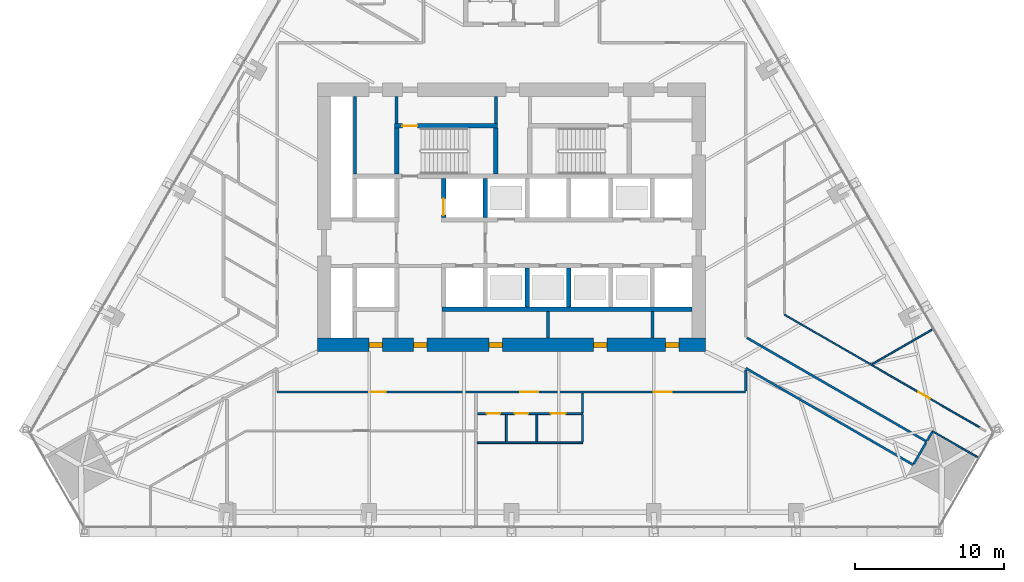
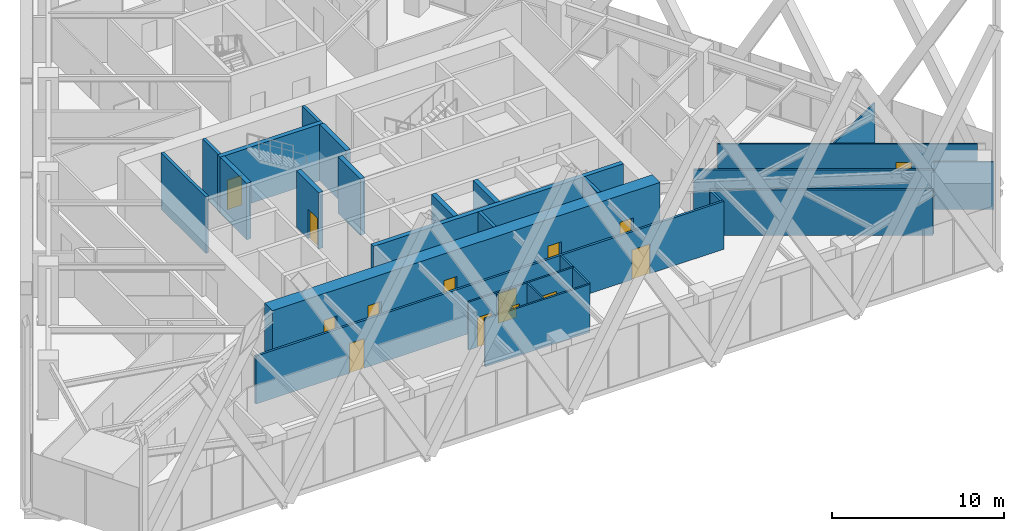
# One storey, part 18 of 23: 29 walls, 14 doors, 14 openings.
"""IFC4 building model written with IfcOpenShell, lengths in metres."""

from ifc_helpers import new_model, si_unit, direction, frame, frame_2d, origin, place, context, subcontext, project, spatial, rectangle, extrude, material, layer, layer_set, type_object, element, fill, save


model = new_model("IFC4")

# Units and contexts
model_context = context("Model", 3, precision=1e-05, world=origin(), true_north=direction((0.0, 1.0)))
body_context = subcontext(model_context, "Body", "Model", "MODEL_VIEW")
ifc_project = project(units=[si_unit("LENGTHUNIT", "METRE"), si_unit("AREAUNIT", "SQUARE_METRE"), si_unit("VOLUMEUNIT", "CUBIC_METRE"), si_unit("PLANEANGLEUNIT", "RADIAN"), si_unit("MASSUNIT", "GRAM", prefix="KILO")], contexts=[model_context])

# Site, building, storey
site_placement = place(None, origin())
site = spatial("IfcSite", under=ifc_project, at=site_placement, CompositionType="ELEMENT")
building_placement = place(site_placement, origin())
building = spatial("IfcBuilding", under=site, at=building_placement, Name="Firuza Gate Tower and Library", CompositionType="ELEMENT")
storey_placement = place(building_placement, frame((0.0, 0.0, 56.800048828125)))
storey = spatial("IfcBuildingStorey", under=building, at=storey_placement, Name="L12", CompositionType="ELEMENT", Elevation=56.800048828125)

# Walls
ifc_material_1 = material(Name="Plasterboard on steel studs", Category="steel")
ifc_layer_1 = layer(ifc_material_1, 0.199951171875)
ifc_layer_set_1 = layer_set([ifc_layer_1], Name="Core partition 200 EI 120")
wall_type_1 = type_object("IfcWallType", Name="Core partition 200 EI 120", PredefinedType="PARTITIONING", material=ifc_layer_set_1)
wall_1_placement = place(storey_placement, frame((64.5, 77.89990234375, 0.0), z_axis=(0.0, 0.0, 1.0), x_axis=(0.0, 1.0, 0.0)))
element("IfcWall", 1, at=wall_1_placement, inside=storey, type_object=wall_type_1, Name="Core partition L12 6", PredefinedType="PARTITIONING", context=body_context, shape_type="SweptSolid", body=[
    extrude(rectangle(XDim=5.2001953125, YDim=0.199951171875, at=frame_2d((2.60009765625, 0.0))), origin(), (0.0, 0.0, 1.0), 4.0),
])
for number, where, z_axis, x_axis, name in (
    (2, (77.449951171875, 66.89990234375, 0.0), (0.0, 0.0, 1.0), (0.0, 1.0, 0.0), "Core partition L12 14"),
    (3, (84.449951171875, 66.89990234375, 0.0), (0.0, 0.0, 1.0), (0.0, 1.0, 0.0), "Core partition L12 16"),
):
    element("IfcWall", number, at=place(storey_placement, frame(where, z_axis=z_axis, x_axis=x_axis)), inside=storey, type_object=wall_type_1, Name=name, PredefinedType="PARTITIONING", context=body_context, shape_type="SweptSolid", body=[
        extrude(rectangle(XDim=1.800048828125, YDim=0.199951171875, at=frame_2d((0.89990234375, 0.0))), origin(), (0.0, 0.0, 1.0), 4.0),
    ])
ifc_material_2 = material(Name="Plasterboard on steel studs", Category="steel")
ifc_layer_2 = layer(ifc_material_2, 0.199951171875)
ifc_layer_set_2 = layer_set([ifc_layer_2], Name="Core partition 200 EI 60")
wall_type_2 = type_object("IfcWallType", Name="Core partition 200 EI 60", PredefinedType="PARTITIONING", material=ifc_layer_set_2)
for number, where, z_axis, x_axis, name in (
    (4, (67.300048828125, 81.280029296875, 0.0), (0.0, 0.0, 1.0), (0.0, 1.0, 0.0), "Core partition L12 9"),
    (5, (73.9599609375, 81.280029296875, 0.0), (0.0, 0.0, 1.0), (0.0, 1.0, 0.0), "Core partition L12 12"),
):
    element("IfcWall", number, at=place(storey_placement, frame(where, z_axis=z_axis, x_axis=x_axis)), inside=storey, type_object=wall_type_2, Name=name, PredefinedType="PARTITIONING", context=body_context, shape_type="SweptSolid", body=[
        extrude(rectangle(XDim=1.820068359375, YDim=0.199951171875, at=frame_2d((0.91015625, 0.0))), origin(), (0.0, 0.0, 1.0), 4.0),
    ])
ifc_material_3 = material(Name="Concrete C80/95", Category="concrete")
ifc_layer_3 = layer(ifc_material_3, 0.300048828125)
ifc_layer_set_3 = layer_set([ifc_layer_3], Name="Core wall 300 C80/95")
wall_type_3 = type_object("IfcWallType", Name="Core wall 300 C80/95", PredefinedType="SHEAR", material=ifc_layer_set_3)
wall_2_placement = place(storey_placement, frame((70.35009765625, 68.85009765625, 0.0), z_axis=(0.0, 0.0, 1.0), x_axis=(1.0, 0.0, 0.0)))
element("IfcWall", 6, at=wall_2_placement, inside=storey, type_object=wall_type_3, Name="Core wall L12 6", PredefinedType="SHEAR", context=body_context, shape_type="SweptSolid", body=[
    extrude(rectangle(XDim=16.75, YDim=0.300048828125, at=frame_2d((8.375, 0.0))), origin(), (0.0, 0.0, 1.0), 4.0),
])

# Wall, opening, door
wall_3_placement = place(storey_placement, frame((70.449951171875, 75.0, 0.0), z_axis=(0.0, 0.0, 1.0), x_axis=(0.0, 1.0, 0.0)))
wall_3 = element("IfcWall", 7, at=wall_3_placement, inside=storey, type_object=wall_type_3, Name="Core wall L12 16", PredefinedType="SHEAR", context=body_context, shape_type="SweptSolid", body=[
    extrude(rectangle(XDim=2.60009765625, YDim=0.300048828125, at=frame_2d((1.300048828125, 0.0))), origin(), (0.0, 0.0, 1.0), 4.0),
])
opening_1_placement = place(wall_3_placement, frame((0.14990234375, 0.0, 0.0)))
opening_1 = element("IfcOpeningElement", 8, at=opening_1_placement, cuts=wall_3, Name="Opening LD-FF2-L12", PredefinedType="OPENING", context=body_context, shape_type="SweptSolid", body=[
    extrude(rectangle(XDim=1.10009765625, YDim=2.10009765625, at=frame_2d((0.550048828125, 1.050048828125))), frame((0.0, 0.16015625, 0.0), z_axis=(0.0, -1.0, 0.0), x_axis=(1.0, 0.0, 0.0)), (0.0, 0.0, 1.0), 0.320068359375),
])
ifc_material_4 = material(Name="Stainless steel", Category="steel")
door_type_1 = type_object("IfcDoorType", Name="Lift landing door 1100x2100", OperationType="DOUBLE_DOOR_SLIDING", PredefinedType="DOOR", material=ifc_material_4)
door_1_placement = place(opening_1_placement, origin())
door_1 = element("IfcDoor", 9, at=door_1_placement, inside=storey, type_object=door_type_1, Name="Landing door FF2 L12", OperationType="DOUBLE_DOOR_SLIDING", OverallHeight=2.10009765625, OverallWidth=1.10009765625, PredefinedType="DOOR", context=body_context, shape_type="SweptSolid", body=[
    extrude(rectangle(XDim=1.10009765625, YDim=2.10009765625, at=frame_2d((0.550048828125, 1.050048828125))), frame((0.0, 0.02490234375, 0.0), z_axis=(0.0, -1.0, 0.0), x_axis=(1.0, 0.0, 0.0)), (0.0, 0.0, 1.0), 0.050048828125),
])
fill(opening_1, door_1)

# Walls
for number, where, z_axis, x_axis, name in (
    (10, (73.25, 75.0, 0.0), (0.0, 0.0, 1.0), (0.0, 1.0, 0.0), "Core wall L12 18"),
    (11, (76.050048828125, 69.0, 0.0), (0.0, 0.0, 1.0), (0.0, 1.0, 0.0), "Core wall L12 19"),
    (12, (78.85009765625, 69.0, 0.0), (0.0, 0.0, 1.0), (0.0, 1.0, 0.0), "Core wall L12 21"),
):
    element("IfcWall", number, at=place(storey_placement, frame(where, z_axis=z_axis, x_axis=x_axis)), inside=storey, type_object=wall_type_3, Name=name, PredefinedType="SHEAR", context=body_context, shape_type="SweptSolid", body=[
        extrude(rectangle(XDim=2.60009765625, YDim=0.300048828125, at=frame_2d((1.300048828125, 0.0))), origin(), (0.0, 0.0, 1.0), 4.0),
    ])

# Wall, opening, door
wall_4_placement = place(storey_placement, frame((67.14990234375, 81.1298828125, 0.0), z_axis=(0.0, 0.0, 1.0), x_axis=(1.0, 0.0, 0.0)))
wall_4 = element("IfcWall", 13, at=wall_4_placement, inside=storey, type_object=wall_type_3, Name="Core wall L12 28", PredefinedType="SHEAR", context=body_context, shape_type="SweptSolid", body=[
    extrude(rectangle(XDim=6.91015625, YDim=0.300048828125, at=frame_2d((3.455078125, 0.0))), origin(), (0.0, 0.0, 1.0), 4.0),
])
opening_2_placement = place(wall_4_placement, frame((0.544921875, 0.0, 0.0)))
opening_2 = element("IfcOpeningElement", 14, at=opening_2_placement, cuts=wall_4, Name="Opening L12-K13", PredefinedType="OPENING", context=body_context, shape_type="SweptSolid", body=[
    extrude(rectangle(XDim=1.0, YDim=2.10009765625, at=frame_2d((0.5, 1.050048828125))), frame((0.0, 0.16015625, 0.0), z_axis=(0.0, -1.0, 0.0), x_axis=(1.0, 0.0, 0.0)), (0.0, 0.0, 1.0), 0.320068359375),
])
ifc_material_5 = material(Name="Steel", Category="steel")
door_type_2 = type_object("IfcDoorType", Name="Fire door 1000x2100 FD90", OperationType="NOTDEFINED", PredefinedType="DOOR", material=ifc_material_5)
door_2_placement = place(opening_2_placement, origin())
door_2 = element("IfcDoor", 15, at=door_2_placement, inside=storey, type_object=door_type_2, Name="Door L12-K13", OperationType="SINGLE_SWING_RIGHT", OverallHeight=2.10009765625, OverallWidth=1.0, PredefinedType="DOOR", context=body_context, shape_type="SweptSolid", body=[
    extrude(rectangle(XDim=1.0, YDim=2.10009765625, at=frame_2d((0.5, 1.050048828125))), frame((0.0, 0.02490234375, 0.0), z_axis=(0.0, -1.0, 0.0), x_axis=(1.0, 0.0, 0.0)), (0.0, 0.0, 1.0), 0.050048828125),
])
fill(opening_2, door_2)

# Walls
for number, where, z_axis, x_axis, name in (
    (16, (67.300048828125, 77.89990234375, 0.0), (0.0, 0.0, 1.0), (0.0, 1.0, 0.0), "Core wall L12 30"),
    (17, (73.9599609375, 77.89990234375, 0.0), (0.0, 0.0, 1.0), (0.0, 1.0, 0.0), "Core wall L12 31"),
):
    element("IfcWall", number, at=place(storey_placement, frame(where, z_axis=z_axis, x_axis=x_axis)), inside=storey, type_object=wall_type_3, Name=name, PredefinedType="SHEAR", context=body_context, shape_type="SweptSolid", body=[
        extrude(rectangle(XDim=3.080078125, YDim=0.300048828125, at=frame_2d((1.5400390625, 0.0))), origin(), (0.0, 0.0, 1.0), 4.0),
    ])

# Wall, openings, doors
ifc_material_6 = material(Name="Concrete C80/95", Category="concrete")
ifc_layer_4 = layer(ifc_material_6, 0.89990234375)
ifc_layer_set_4 = layer_set([ifc_layer_4], Name="Core wall 900 C80/95")
wall_type_4 = type_object("IfcWallType", Name="Core wall 900 C80/95", PredefinedType="SHEAR", material=ifc_layer_set_4)
wall_5_placement = place(storey_placement, frame((62.0, 66.449951171875, 0.0), z_axis=(0.0, 0.0, 1.0), x_axis=(1.0, 0.0, 0.0)))
wall_5 = element("IfcWall", 18, at=wall_5_placement, inside=storey, type_object=wall_type_4, Name="Core wall L12 1", PredefinedType="SHEAR", context=body_context, shape_type="SweptSolid", body=[
    extrude(rectangle(XDim=26.0, YDim=0.89990234375, at=frame_2d((13.0, 0.0))), origin(), (0.0, 0.0, 1.0), 4.0),
])
opening_3_placement = place(wall_5_placement, frame((3.449951171875, 0.0, 0.0)))
opening_3 = element("IfcOpeningElement", 19, at=opening_3_placement, cuts=wall_5, Name="Opening L12-K24", PredefinedType="OPENING", context=body_context, shape_type="SweptSolid", body=[
    extrude(rectangle(XDim=0.89990234375, YDim=2.10009765625, at=frame_2d((0.449951171875, 1.050048828125))), frame((0.0, 0.4599609375, 0.0), z_axis=(0.0, -1.0, 0.0), x_axis=(1.0, 0.0, 0.0)), (0.0, 0.0, 1.0), 0.919921875),
])
opening_4_placement = place(wall_5_placement, frame((6.425048828125, 0.0, 0.0)))
opening_4 = element("IfcOpeningElement", 20, at=opening_4_placement, cuts=wall_5, Name="Opening L12-K25", PredefinedType="OPENING", context=body_context, shape_type="SweptSolid", body=[
    extrude(rectangle(XDim=0.89990234375, YDim=2.10009765625, at=frame_2d((0.449951171875, 1.050048828125))), frame((0.0, 0.4599609375, 0.0), z_axis=(0.0, -1.0, 0.0), x_axis=(1.0, 0.0, 0.0)), (0.0, 0.0, 1.0), 0.919921875),
])
opening_5_placement = place(wall_5_placement, frame((11.5, 0.0, 0.0)))
opening_5 = element("IfcOpeningElement", 21, at=opening_5_placement, cuts=wall_5, Name="Opening L12-K26", PredefinedType="OPENING", context=body_context, shape_type="SweptSolid", body=[
    extrude(rectangle(XDim=0.89990234375, YDim=2.10009765625, at=frame_2d((0.449951171875, 1.050048828125))), frame((0.0, 0.4599609375, 0.0), z_axis=(0.0, -1.0, 0.0), x_axis=(1.0, 0.0, 0.0)), (0.0, 0.0, 1.0), 0.919921875),
])
opening_6_placement = place(wall_5_placement, frame((18.5, 0.0, 0.0)))
opening_6 = element("IfcOpeningElement", 22, at=opening_6_placement, cuts=wall_5, Name="Opening L12-K27", PredefinedType="OPENING", context=body_context, shape_type="SweptSolid", body=[
    extrude(rectangle(XDim=0.89990234375, YDim=2.10009765625, at=frame_2d((0.449951171875, 1.050048828125))), frame((0.0, 0.4599609375, 0.0), z_axis=(0.0, -1.0, 0.0), x_axis=(1.0, 0.0, 0.0)), (0.0, 0.0, 1.0), 0.919921875),
])
opening_7_placement = place(wall_5_placement, frame((23.324951171875, 0.0, 0.0)))
opening_7 = element("IfcOpeningElement", 23, at=opening_7_placement, cuts=wall_5, Name="Opening L12-K28", PredefinedType="OPENING", context=body_context, shape_type="SweptSolid", body=[
    extrude(rectangle(XDim=0.89990234375, YDim=2.10009765625, at=frame_2d((0.449951171875, 1.050048828125))), frame((0.0, 0.4599609375, 0.0), z_axis=(0.0, -1.0, 0.0), x_axis=(1.0, 0.0, 0.0)), (0.0, 0.0, 1.0), 0.919921875),
])
ifc_material_7 = material(Name="Steel", Category="steel")
door_type_3 = type_object("IfcDoorType", Name="Fire door 900x2100 FD30S", OperationType="NOTDEFINED", PredefinedType="DOOR", material=ifc_material_7)
door_3_placement = place(opening_3_placement, origin())
door_3 = element("IfcDoor", 24, at=door_3_placement, inside=storey, type_object=door_type_3, Name="Door L12-K24", OperationType="SINGLE_SWING_LEFT", OverallHeight=2.10009765625, OverallWidth=0.89990234375, PredefinedType="DOOR", context=body_context, shape_type="SweptSolid", body=[
    extrude(rectangle(XDim=0.89990234375, YDim=2.10009765625, at=frame_2d((0.449951171875, 1.050048828125))), frame((0.0, 0.169921875, 0.0), z_axis=(0.0, -1.0, 0.0), x_axis=(1.0, 0.0, 0.0)), (0.0, 0.0, 1.0), 0.33984375),
])
fill(opening_3, door_3)
door_4_placement = place(opening_4_placement, origin())
door_4 = element("IfcDoor", 25, at=door_4_placement, inside=storey, type_object=door_type_3, Name="Door L12-K25", OperationType="SINGLE_SWING_RIGHT", OverallHeight=2.10009765625, OverallWidth=0.89990234375, PredefinedType="DOOR", context=body_context, shape_type="SweptSolid", body=[
    extrude(rectangle(XDim=0.89990234375, YDim=2.10009765625, at=frame_2d((0.449951171875, 1.050048828125))), frame((0.0, 0.169921875, 0.0), z_axis=(0.0, -1.0, 0.0), x_axis=(1.0, 0.0, 0.0)), (0.0, 0.0, 1.0), 0.33984375),
])
fill(opening_4, door_4)
door_5_placement = place(opening_5_placement, origin())
door_5 = element("IfcDoor", 26, at=door_5_placement, inside=storey, type_object=door_type_3, Name="Door L12-K26", OperationType="SINGLE_SWING_LEFT", OverallHeight=2.10009765625, OverallWidth=0.89990234375, PredefinedType="DOOR", context=body_context, shape_type="SweptSolid", body=[
    extrude(rectangle(XDim=0.89990234375, YDim=2.10009765625, at=frame_2d((0.449951171875, 1.050048828125))), frame((0.0, 0.169921875, 0.0), z_axis=(0.0, -1.0, 0.0), x_axis=(1.0, 0.0, 0.0)), (0.0, 0.0, 1.0), 0.33984375),
])
fill(opening_5, door_5)
door_6_placement = place(opening_6_placement, origin())
door_6 = element("IfcDoor", 27, at=door_6_placement, inside=storey, type_object=door_type_3, Name="Door L12-K27", OperationType="SINGLE_SWING_RIGHT", OverallHeight=2.10009765625, OverallWidth=0.89990234375, PredefinedType="DOOR", context=body_context, shape_type="SweptSolid", body=[
    extrude(rectangle(XDim=0.89990234375, YDim=2.10009765625, at=frame_2d((0.449951171875, 1.050048828125))), frame((0.0, 0.169921875, 0.0), z_axis=(0.0, -1.0, 0.0), x_axis=(1.0, 0.0, 0.0)), (0.0, 0.0, 1.0), 0.33984375),
])
fill(opening_6, door_6)
door_7_placement = place(opening_7_placement, origin())
door_7 = element("IfcDoor", 28, at=door_7_placement, inside=storey, type_object=door_type_3, Name="Door L12-K28", OperationType="SINGLE_SWING_LEFT", OverallHeight=2.10009765625, OverallWidth=0.89990234375, PredefinedType="DOOR", context=body_context, shape_type="SweptSolid", body=[
    extrude(rectangle(XDim=0.89990234375, YDim=2.10009765625, at=frame_2d((0.449951171875, 1.050048828125))), frame((0.0, 0.169921875, 0.0), z_axis=(0.0, -1.0, 0.0), x_axis=(1.0, 0.0, 0.0)), (0.0, 0.0, 1.0), 0.33984375),
])
fill(opening_7, door_7)

ifc_material_8 = material(Name="Gypsum board partition")
ifc_layer_5 = layer(ifc_material_8, 0.14990234375)
ifc_layer_set_5 = layer_set([ifc_layer_5], Name="Corridor wall 150 double board on steel studs")
wall_type_5 = type_object("IfcWallType", Name="Corridor wall 150 double board on steel studs", PredefinedType="PARTITIONING", material=ifc_layer_set_5)
wall_6_placement = place(storey_placement, frame((90.699462890625, 63.300048828125, 0.0), z_axis=(0.0, 0.0, 1.0), x_axis=(-1.0, 0.0, 0.0)))
wall_6 = element("IfcWall", 29, at=wall_6_placement, inside=storey, type_object=wall_type_5, Name="f:L12:w004", PredefinedType="PARTITIONING", context=body_context, shape_type="SweptSolid", body=[
    extrude(rectangle(XDim=31.3994140625, YDim=0.14990234375, at=frame_2d((15.69970703125, 0.0))), origin(), (0.0, 0.0, 1.0), 3.39990234375),
])
opening_8_placement = place(wall_6_placement, frame((4.967529296875, 0.0, 0.0)))
opening_8 = element("IfcOpeningElement", 30, at=opening_8_placement, cuts=wall_6, Name="Opening L12-05", PredefinedType="OPENING", context=body_context, shape_type="SweptSolid", body=[
    extrude(rectangle(XDim=1.199951171875, YDim=2.10009765625, at=frame_2d((0.60009765625, 1.050048828125))), frame((0.0, 0.0849609375, 0.0), z_axis=(0.0, -1.0, 0.0), x_axis=(1.0, 0.0, 0.0)), (0.0, 0.0, 1.0), 0.169921875),
])
opening_9_placement = place(wall_6_placement, frame((13.90771484375, 0.0, 0.0)))
opening_9 = element("IfcOpeningElement", 31, at=opening_9_placement, cuts=wall_6, Name="Opening L12-06", PredefinedType="OPENING", context=body_context, shape_type="SweptSolid", body=[
    extrude(rectangle(XDim=1.199951171875, YDim=2.10009765625, at=frame_2d((0.60009765625, 1.050048828125))), frame((0.0, 0.0849609375, 0.0), z_axis=(0.0, -1.0, 0.0), x_axis=(1.0, 0.0, 0.0)), (0.0, 0.0, 1.0), 0.169921875),
])
opening_10_placement = place(wall_6_placement, frame((24.139892578125, 0.0, 0.0)))
opening_10 = element("IfcOpeningElement", 32, at=opening_10_placement, cuts=wall_6, Name="Opening L12-07", PredefinedType="OPENING", context=body_context, shape_type="SweptSolid", body=[
    extrude(rectangle(XDim=1.0, YDim=2.10009765625, at=frame_2d((0.5, 1.050048828125))), frame((0.0, 0.0849609375, 0.0), z_axis=(0.0, -1.0, 0.0), x_axis=(1.0, 0.0, 0.0)), (0.0, 0.0, 1.0), 0.169921875),
])
ifc_material_9 = material(Name="Steel door and timber leaf", Category="steel")
door_type_4 = type_object("IfcDoorType", Name="Fire door 1000 x 2100 steel frame, timber leaf", OperationType="NOTDEFINED", PredefinedType="DOOR", material=ifc_material_9)
door_8_placement = place(opening_10_placement, origin())
door_8 = element("IfcDoor", 33, at=door_8_placement, inside=storey, type_object=door_type_4, Name="f:L12:d007", OperationType="SINGLE_SWING_LEFT", OverallHeight=2.10009765625, OverallWidth=1.0, PredefinedType="DOOR", context=body_context, shape_type="SweptSolid", body=[
    extrude(rectangle(XDim=1.0, YDim=2.10009765625, at=frame_2d((0.5, 1.050048828125))), frame((0.0, 0.02490234375, 0.0), z_axis=(0.0, -1.0, 0.0), x_axis=(1.0, 0.0, 0.0)), (0.0, 0.0, 1.0), 0.050048828125),
])
fill(opening_10, door_8)
ifc_material_10 = material(Name="Steel door and timber leaf", Category="steel")
door_type_5 = type_object("IfcDoorType", Name="Fire door 1200 x 2100 steel frame, double leaf", OperationType="NOTDEFINED", PredefinedType="DOOR", material=ifc_material_10)
door_9_placement = place(opening_8_placement, origin())
door_9 = element("IfcDoor", 34, at=door_9_placement, inside=storey, type_object=door_type_5, Name="f:L12:d005", OperationType="DOUBLE_DOOR_SINGLE_SWING", OverallHeight=2.10009765625, OverallWidth=1.199951171875, PredefinedType="DOOR", context=body_context, shape_type="SweptSolid", body=[
    extrude(rectangle(XDim=1.199951171875, YDim=2.10009765625, at=frame_2d((0.60009765625, 1.050048828125))), frame((0.0, 0.02490234375, 0.0), z_axis=(0.0, -1.0, 0.0), x_axis=(1.0, 0.0, 0.0)), (0.0, 0.0, 1.0), 0.050048828125),
])
fill(opening_8, door_9)
door_10_placement = place(opening_9_placement, origin())
door_10 = element("IfcDoor", 35, at=door_10_placement, inside=storey, type_object=door_type_5, Name="f:L12:d006", OperationType="DOUBLE_DOOR_SINGLE_SWING", OverallHeight=2.10009765625, OverallWidth=1.199951171875, PredefinedType="DOOR", context=body_context, shape_type="SweptSolid", body=[
    extrude(rectangle(XDim=1.199951171875, YDim=2.10009765625, at=frame_2d((0.60009765625, 1.050048828125))), frame((0.0, 0.02490234375, 0.0), z_axis=(0.0, -1.0, 0.0), x_axis=(1.0, 0.0, 0.0)), (0.0, 0.0, 1.0), 0.050048828125),
])
fill(opening_9, door_10)

# Walls
wall_7_placement = place(storey_placement, frame((101.960205078125, 58.482421875, 0.0), z_axis=(0.0, 0.0, 1.0), x_axis=(0.500102515474, 0.865966208357, 0.0)))
element("IfcWall", 36, at=wall_7_placement, inside=storey, type_object=wall_type_5, Name="f:L12:w026", PredefinedType="PARTITIONING", context=body_context, shape_type="SweptSolid", body=[
    extrude(rectangle(XDim=1.649658203125, YDim=0.14990234375, at=frame_2d((0.82470703125, 0.0))), origin(), (0.0, 0.0, 1.0), 3.2470703125),
])
wall_8_placement = place(storey_placement, frame((90.699951171875, 63.37548828125, 0.0), z_axis=(0.0, 0.0, 1.0), x_axis=(0.0, 1.0, 0.0)))
element("IfcWall", 37, at=wall_8_placement, inside=storey, type_object=wall_type_5, Name="f:L12:w029", PredefinedType="PARTITIONING", context=body_context, shape_type="SweptSolid", body=[
    extrude(rectangle(XDim=1.38427734375, YDim=0.14990234375, at=frame_2d((0.692138671875, 0.0))), origin(), (0.0, 0.0, 1.0), 3.2470703125),
])
wall_9_placement = place(storey_placement, frame((102.82177734375, 59.976318359375, 0.0), z_axis=(0.0, 0.0, 1.0), x_axis=(-0.866019280802, 0.500010605167, 0.0)))
element("IfcWall", 38, at=wall_9_placement, inside=storey, type_object=wall_type_5, Name="f:L12:w060", PredefinedType="PARTITIONING", context=body_context, shape_type="SweptSolid", body=[
    extrude(rectangle(XDim=13.910400390625, YDim=0.14990234375, at=frame_2d((6.955078125, 0.0))), origin(), (0.0, 0.0, 1.0), 3.39990234375),
])
wall_10_placement = place(storey_placement, frame((101.921875, 58.41748046875, 0.0), z_axis=(0.0, 0.0, 1.0), x_axis=(-0.866024629744, 0.500001340675, 0.0)))
element("IfcWall", 39, at=wall_10_placement, inside=storey, type_object=wall_type_5, Name="f:L12:w061", PredefinedType="PARTITIONING", context=body_context, shape_type="SweptSolid", body=[
    extrude(rectangle(XDim=12.9580078125, YDim=0.14990234375, at=frame_2d((6.47900390625, 0.0))), origin(), (0.0, 0.0, 1.0), 3.2470703125),
])
wall_11_placement = place(storey_placement, frame((102.860107421875, 60.041015625, 0.0), z_axis=(0.0, 0.0, 1.0), x_axis=(0.500036104519, 0.866004557827, 0.0)))
element("IfcWall", 40, at=wall_11_placement, inside=storey, type_object=wall_type_5, Name="f:L12:w075", PredefinedType="PARTITIONING", context=body_context, shape_type="SweptSolid", body=[
    extrude(rectangle(XDim=0.673828125, YDim=0.14990234375, at=frame_2d((0.3369140625, 0.0))), origin(), (0.0, 0.0, 1.0), 3.39990234375),
])
ifc_material_11 = material(Name="Gypsum board partition")
ifc_layer_6 = layer(ifc_material_11, 0.10009765625)
ifc_layer_set_6 = layer_set([ifc_layer_6], Name="Partition 100 gypsum board on steel studs")
wall_type_6 = type_object("IfcWallType", Name="Partition 100 gypsum board on steel studs", PredefinedType="PARTITIONING", material=ifc_layer_set_6)
wall_12_placement = place(storey_placement, frame((99.181884765625, 65.167724609375, 0.0), z_axis=(0.0, 0.0, 1.0), x_axis=(0.866024864377, 0.50000093428, 0.0)))
element("IfcWall", 41, at=wall_12_placement, inside=storey, type_object=wall_type_6, Name="f:L12:w012", PredefinedType="PARTITIONING", context=body_context, shape_type="SweptSolid", body=[
    extrude(rectangle(XDim=4.705078125, YDim=0.10009765625, at=frame_2d((2.3525390625, 0.0))), origin(), (0.0, 0.0, 1.0), 3.39990234375),
])

# Wall, opening, door
wall_13_placement = place(storey_placement, frame((106.37353515625, 60.927978515625, 0.0), z_axis=(0.0, 0.0, 1.0), x_axis=(-0.866022109353, 0.50000570608, 0.0)))
wall_13 = element("IfcWall", 42, at=wall_13_placement, inside=storey, type_object=wall_type_6, Name="f:L12:w057", PredefinedType="PARTITIONING", context=body_context, shape_type="SweptSolid", body=[
    extrude(rectangle(XDim=15.095947265625, YDim=0.10009765625, at=frame_2d((7.5478515625, 0.0))), origin(), (0.0, 0.0, 1.0), 3.39990234375),
])
opening_11_placement = place(wall_13_placement, frame((3.847412109375, 0.0, 0.0)))
opening_11 = element("IfcOpeningElement", 43, at=opening_11_placement, cuts=wall_13, Name="Opening L12-33", PredefinedType="OPENING", context=body_context, shape_type="SweptSolid", body=[
    extrude(rectangle(XDim=0.89990234375, YDim=2.10009765625, at=frame_2d((0.449951171875, 1.050048828125))), frame((0.0, 0.06005859375, 0.0), z_axis=(0.0, -1.0, 0.0), x_axis=(1.0, 0.0, 0.0)), (0.0, 0.0, 1.0), 0.1201171875),
])
ifc_material_12 = material(Name="Timber door", Category="wood")
door_type_6 = type_object("IfcDoorType", Name="Door 900 x 2100 timber leaf", OperationType="NOTDEFINED", PredefinedType="DOOR", material=ifc_material_12)
door_11_placement = place(opening_11_placement, origin())
door_11 = element("IfcDoor", 44, at=door_11_placement, inside=storey, type_object=door_type_6, Name="f:L12:d033", OperationType="SINGLE_SWING_LEFT", OverallHeight=2.10009765625, OverallWidth=0.89990234375, PredefinedType="DOOR", context=body_context, shape_type="SweptSolid", body=[
    extrude(rectangle(XDim=0.89990234375, YDim=2.10009765625, at=frame_2d((0.449951171875, 1.050048828125))), frame((0.0, 0.02490234375, 0.0), z_axis=(0.0, -1.0, 0.0), x_axis=(1.0, 0.0, 0.0)), (0.0, 0.0, 1.0), 0.050048828125),
])
fill(opening_11, door_11)

# Walls
wall_14_placement = place(storey_placement, frame((106.304931640625, 58.88818359375, 0.0), z_axis=(0.0, 0.0, 1.0), x_axis=(-0.866061095881, 0.499938174379, 0.0)))
element("IfcWall", 45, at=wall_14_placement, inside=storey, type_object=wall_type_6, Name="f:L12:w059", PredefinedType="PARTITIONING", context=body_context, shape_type="SweptSolid", body=[
    extrude(rectangle(XDim=3.5595703125, YDim=0.10009765625, at=frame_2d((1.77978515625, 0.0))), origin(), (0.0, 0.0, 1.0), 3.39990234375),
])
ifc_material_13 = material(Name="Gypsum board partition")
ifc_layer_7 = layer(ifc_material_13, 0.1201171875)
ifc_layer_set_7 = layer_set([ifc_layer_7], Name="Wet-area partition 120 moisture-resistant board")
wall_type_7 = type_object("IfcWallType", Name="Wet-area partition 120 moisture-resistant board", PredefinedType="PARTITIONING", material=ifc_layer_set_7)
wall_15_placement = place(storey_placement, frame((72.716796875, 59.89990234375, 0.0), z_axis=(0.0, 0.0, 1.0), x_axis=(1.0, 0.0, 0.0)))
element("IfcWall", 46, at=wall_15_placement, inside=storey, type_object=wall_type_7, Name="f:L12:w001", PredefinedType="PARTITIONING", context=body_context, shape_type="SweptSolid", body=[
    extrude(rectangle(XDim=7.0498046875, YDim=0.1201171875, at=frame_2d((3.52490234375, 0.0))), origin(), (0.0, 0.0, 1.0), 3.39990234375),
])

# Wall, openings, doors
wall_16_placement = place(storey_placement, frame((72.71630859375, 61.85009765625, 0.0), z_axis=(0.0, 0.0, 1.0), x_axis=(1.0, 0.0, 0.0)))
wall_16 = element("IfcWall", 47, at=wall_16_placement, inside=storey, type_object=wall_type_7, Name="f:L12:w003", PredefinedType="PARTITIONING", context=body_context, shape_type="SweptSolid", body=[
    extrude(rectangle(XDim=7.051025390625, YDim=0.1201171875, at=frame_2d((3.525390625, 0.0))), origin(), (0.0, 0.0, 1.0), 3.39990234375),
])
opening_12_placement = place(wall_16_placement, frame((0.623046875, 0.0, 0.0)))
opening_12 = element("IfcOpeningElement", 48, at=opening_12_placement, cuts=wall_16, Name="Opening L12-02", PredefinedType="OPENING", context=body_context, shape_type="SweptSolid", body=[
    extrude(rectangle(XDim=0.89990234375, YDim=2.10009765625, at=frame_2d((0.449951171875, 1.050048828125))), frame((0.0, 0.070068359375, 0.0), z_axis=(0.0, -1.0, 0.0), x_axis=(1.0, 0.0, 0.0)), (0.0, 0.0, 1.0), 0.14013671875),
])
opening_13_placement = place(wall_16_placement, frame((2.5146484375, 0.0, 0.0)))
opening_13 = element("IfcOpeningElement", 49, at=opening_13_placement, cuts=wall_16, Name="Opening L12-03", PredefinedType="OPENING", context=body_context, shape_type="SweptSolid", body=[
    extrude(rectangle(XDim=0.89990234375, YDim=2.10009765625, at=frame_2d((0.449951171875, 1.050048828125))), frame((0.0, 0.070068359375, 0.0), z_axis=(0.0, -1.0, 0.0), x_axis=(1.0, 0.0, 0.0)), (0.0, 0.0, 1.0), 0.14013671875),
])
opening_14_placement = place(wall_16_placement, frame((4.9169921875, 0.0, 0.0)))
opening_14 = element("IfcOpeningElement", 50, at=opening_14_placement, cuts=wall_16, Name="Opening L12-04", PredefinedType="OPENING", context=body_context, shape_type="SweptSolid", body=[
    extrude(rectangle(XDim=1.0, YDim=2.10009765625, at=frame_2d((0.5, 1.050048828125))), frame((0.0, 0.070068359375, 0.0), z_axis=(0.0, -1.0, 0.0), x_axis=(1.0, 0.0, 0.0)), (0.0, 0.0, 1.0), 0.14013671875),
])
ifc_material_14 = material(Name="Timber door", Category="wood")
door_type_7 = type_object("IfcDoorType", Name="Door 1000 x 2100 timber leaf", OperationType="NOTDEFINED", PredefinedType="DOOR", material=ifc_material_14)
door_12_placement = place(opening_14_placement, origin())
door_12 = element("IfcDoor", 51, at=door_12_placement, inside=storey, type_object=door_type_7, Name="f:L12:d004", OperationType="SINGLE_SWING_RIGHT", OverallHeight=2.10009765625, OverallWidth=1.0, PredefinedType="DOOR", context=body_context, shape_type="SweptSolid", body=[
    extrude(rectangle(XDim=1.0, YDim=2.10009765625, at=frame_2d((0.5, 1.050048828125))), frame((0.0, 0.02490234375, 0.0), z_axis=(0.0, -1.0, 0.0), x_axis=(1.0, 0.0, 0.0)), (0.0, 0.0, 1.0), 0.050048828125),
])
fill(opening_14, door_12)
door_13_placement = place(opening_12_placement, origin())
door_13 = element("IfcDoor", 52, at=door_13_placement, inside=storey, type_object=door_type_6, Name="f:L12:d002", OperationType="SINGLE_SWING_RIGHT", OverallHeight=2.10009765625, OverallWidth=0.89990234375, PredefinedType="DOOR", context=body_context, shape_type="SweptSolid", body=[
    extrude(rectangle(XDim=0.89990234375, YDim=2.10009765625, at=frame_2d((0.449951171875, 1.050048828125))), frame((0.0, 0.02490234375, 0.0), z_axis=(0.0, -1.0, 0.0), x_axis=(1.0, 0.0, 0.0)), (0.0, 0.0, 1.0), 0.050048828125),
])
fill(opening_12, door_13)
door_14_placement = place(opening_13_placement, origin())
door_14 = element("IfcDoor", 53, at=door_14_placement, inside=storey, type_object=door_type_6, Name="f:L12:d003", OperationType="SINGLE_SWING_LEFT", OverallHeight=2.10009765625, OverallWidth=0.89990234375, PredefinedType="DOOR", context=body_context, shape_type="SweptSolid", body=[
    extrude(rectangle(XDim=0.89990234375, YDim=2.10009765625, at=frame_2d((0.449951171875, 1.050048828125))), frame((0.0, 0.02490234375, 0.0), z_axis=(0.0, -1.0, 0.0), x_axis=(1.0, 0.0, 0.0)), (0.0, 0.0, 1.0), 0.050048828125),
])
fill(opening_13, door_14)

# Walls
wall_17_placement = place(storey_placement, frame((79.76708984375, 59.96044921875, 0.0), z_axis=(0.0, 0.0, 1.0), x_axis=(0.0, 1.0, 0.0)))
element("IfcWall", 54, at=wall_17_placement, inside=storey, type_object=wall_type_7, Name="f:L12:w034", PredefinedType="PARTITIONING", context=body_context, shape_type="SweptSolid", body=[
    extrude(rectangle(XDim=1.82958984375, YDim=0.1201171875, at=frame_2d((0.914794921875, 0.0))), origin(), (0.0, 0.0, 1.0), 3.39990234375),
])
for number, where, z_axis, x_axis, name in (
    (55, (76.702880859375, 59.9599609375, 0.0), (0.0, 0.0, 1.0), (0.0, 1.0, 0.0), "f:L12:w035"),
    (56, (74.658935546875, 59.9599609375, 0.0), (0.0, 0.0, 1.0), (0.0, 1.0, 0.0), "f:L12:w037"),
):
    element("IfcWall", number, at=place(storey_placement, frame(where, z_axis=z_axis, x_axis=x_axis)), inside=storey, type_object=wall_type_7, Name=name, PredefinedType="PARTITIONING", context=body_context, shape_type="SweptSolid", body=[
        extrude(rectangle(XDim=1.830078125, YDim=0.1201171875, at=frame_2d((0.9150390625, 0.0))), origin(), (0.0, 0.0, 1.0), 3.39990234375),
    ])
wall_18_placement = place(storey_placement, frame((79.76708984375, 61.909912109375, 0.0), z_axis=(0.0, 0.0, 1.0), x_axis=(0.0, 1.0, 0.0)))
element("IfcWall", 57, at=wall_18_placement, inside=storey, type_object=wall_type_7, Name="f:L12:w067", PredefinedType="PARTITIONING", context=body_context, shape_type="SweptSolid", body=[
    extrude(rectangle(XDim=1.31494140625, YDim=0.1201171875, at=frame_2d((0.657470703125, 0.0))), origin(), (0.0, 0.0, 1.0), 3.39990234375),
])

save(model, "model.ifc")
